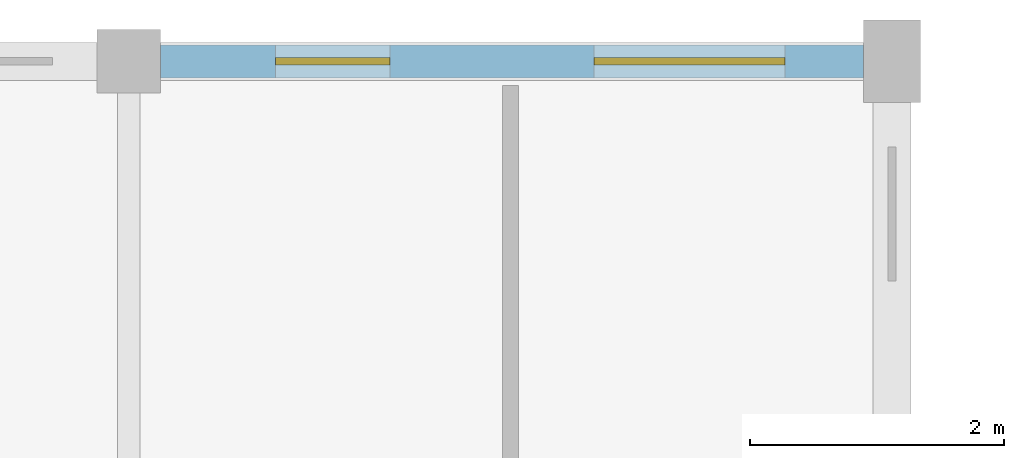
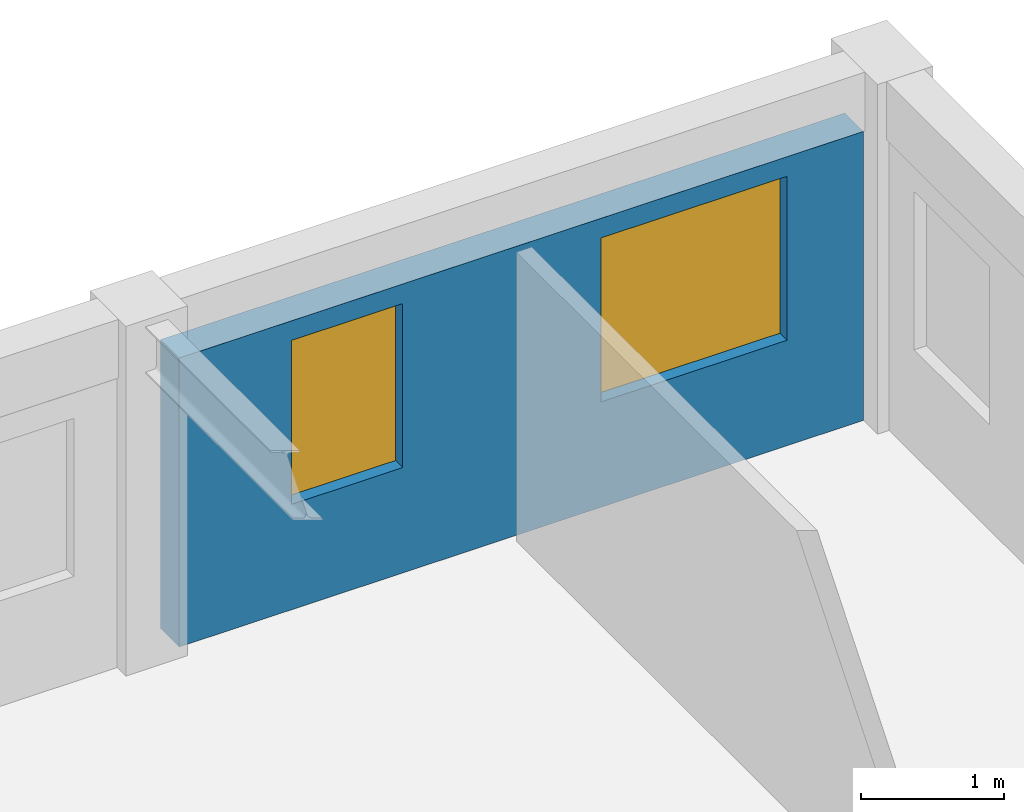
# One storey, part 12 of 17: 2 windows, 1 wall, 2 openings.
"""IFC4 building model written with IfcOpenShell, lengths in metres."""

from ifc_helpers import new_model, si_unit, direction, frame, frame_2d, origin, place, context, subcontext, project, spatial, rectangle, extrude, material, layer, layer_set, type_object, element, fill, save


model = new_model("IFC4")

# Units and contexts
model_context = context("Model", 3, precision=1e-05, world=origin(), true_north=direction((0.0, 1.0)))
body_context = subcontext(model_context, "Body", "Model", "MODEL_VIEW")
ifc_project = project(units=[si_unit("LENGTHUNIT", "METRE"), si_unit("AREAUNIT", "SQUARE_METRE"), si_unit("VOLUMEUNIT", "CUBIC_METRE"), si_unit("PLANEANGLEUNIT", "RADIAN"), si_unit("MASSUNIT", "GRAM", prefix="KILO"), si_unit("POWERUNIT", "WATT"), si_unit("THERMODYNAMICTEMPERATUREUNIT", "KELVIN")], contexts=[model_context])

# Site, building, storey
site_placement = place(None, origin())
site = spatial("IfcSite", under=ifc_project, at=site_placement, CompositionType="ELEMENT")
building_placement = place(site_placement, origin())
building = spatial("IfcBuilding", under=site, at=building_placement, Name="Ruvembo Vaulted Housing Court", CompositionType="ELEMENT")
storey_placement = place(building_placement, frame((0.0, 0.0, 30.10009765625)))
storey = spatial("IfcBuildingStorey", under=building, at=storey_placement, Name="L09", CompositionType="ELEMENT", Elevation=30.10009765625)

# Wall, openings, windows
ifc_material_1 = material(Name="Rendered Masonry 260", Category="masonry")
ifc_layer = layer(ifc_material_1, 0.260009765625, Name="Rendered Masonry 260")
ifc_layer_set = layer_set([ifc_layer], Name="Rendered Masonry 260")
wall_type = type_object("IfcWallType", Name="WL-EXT-260", PredefinedType="STANDARD", material=ifc_layer_set)
wall_placement = place(storey_placement, frame((77.77490234375, 114.0, 0.0), z_axis=(0.0, 0.0, 1.0), x_axis=(-1.0, 0.0, 0.0)))
wall = element("IfcWall", 1, at=wall_placement, inside=storey, type_object=wall_type, Name="Block B L09 Exterior Wall STREET #1", PredefinedType="STANDARD", context=body_context, shape_type="SweptSolid", body=[
    extrude(rectangle(XDim=5.52490234375, YDim=0.260009765625, at=frame_2d((2.762451171875, 0.0))), origin(), (0.0, 0.0, 1.0), 2.466796875),
])
opening_1_placement = place(wall_placement, frame((0.617431640625, 0.0, 0.89990234375)))
opening_1 = element("IfcOpeningElement", 2, at=opening_1_placement, cuts=wall, Name="Opening W18", PredefinedType="OPENING", context=body_context, shape_type="SweptSolid", body=[
    extrude(rectangle(XDim=1.5, YDim=1.39990234375, at=frame_2d((0.75, 0.699951171875))), frame((0.0, 0.139892578125, 0.0), z_axis=(0.0, -1.0, 0.0), x_axis=(1.0, 0.0, 0.0)), (0.0, 0.0, 1.0), 0.280029296875),
])
opening_2_placement = place(wall_placement, frame((3.719970703125, 0.0, 0.89990234375)))
opening_2 = element("IfcOpeningElement", 3, at=opening_2_placement, cuts=wall, Name="Opening W05", PredefinedType="OPENING", context=body_context, shape_type="SweptSolid", body=[
    extrude(rectangle(XDim=0.89990234375, YDim=1.39990234375, at=frame_2d((0.449951171875, 0.699951171875))), frame((0.0, 0.139892578125, 0.0), z_axis=(0.0, -1.0, 0.0), x_axis=(1.0, 0.0, 0.0)), (0.0, 0.0, 1.0), 0.280029296875),
])
ifc_material_2 = material(Name="Double Solar-Control Glazing in Aluminium Frame", Category="aluminium")
window_type_1 = type_object("IfcWindowType", Name="WIN-0900x1400", PartitioningType="SINGLE_PANEL", PredefinedType="WINDOW", material=ifc_material_2)
window_1_placement = place(opening_2_placement, origin())
window_1 = element("IfcWindow", 4, at=window_1_placement, inside=storey, type_object=window_type_1, Name="Block B L09 Window #1008", OverallHeight=1.39990234375, OverallWidth=0.89990234375, PartitioningType="SINGLE_PANEL", PredefinedType="WINDOW", context=body_context, shape_type="SweptSolid", body=[
    extrude(rectangle(XDim=0.89990234375, YDim=1.39990234375, at=frame_2d((0.449951171875, 0.699951171875))), frame((0.0, 0.030029296875, 0.0), z_axis=(0.0, -1.0, 0.0), x_axis=(1.0, 0.0, 0.0)), (0.0, 0.0, 1.0), 0.06005859375),
])
fill(opening_2, window_1)
window_type_2 = type_object("IfcWindowType", Name="WIN-1500x1400", PartitioningType="SINGLE_PANEL", PredefinedType="WINDOW", material=ifc_material_2)
window_2_placement = place(opening_1_placement, origin())
window_2 = element("IfcWindow", 5, at=window_2_placement, inside=storey, type_object=window_type_2, Name="Block B L09 Window #1007", OverallHeight=1.39990234375, OverallWidth=1.5, PartitioningType="SINGLE_PANEL", PredefinedType="WINDOW", context=body_context, shape_type="SweptSolid", body=[
    extrude(rectangle(XDim=1.5, YDim=1.39990234375, at=frame_2d((0.75, 0.699951171875))), frame((0.0, 0.030029296875, 0.0), z_axis=(0.0, -1.0, 0.0), x_axis=(1.0, 0.0, 0.0)), (0.0, 0.0, 1.0), 0.06005859375),
])
fill(opening_1, window_2)

save(model, "model.ifc")
